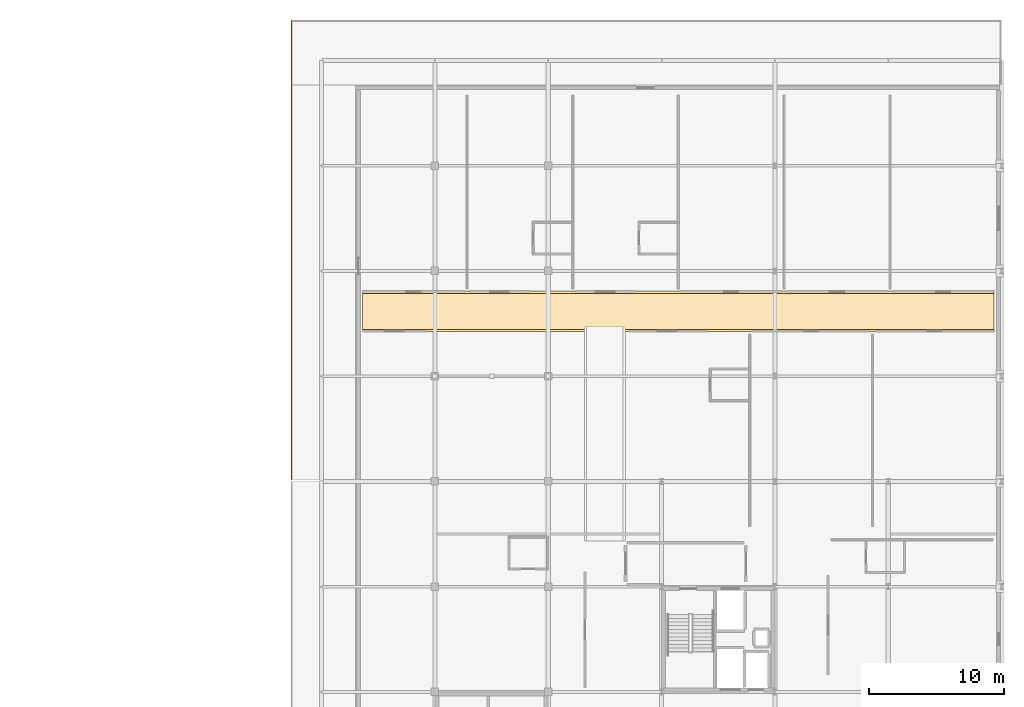
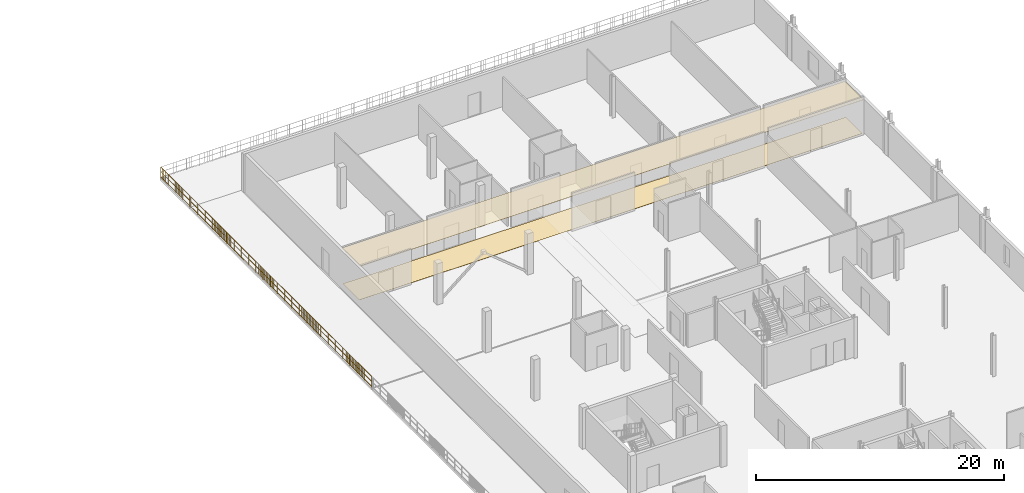
# One storey, part 19 of 20: 2 coverings, 2 railings.
"""IFC4 building model written with IfcOpenShell, lengths in metres."""

from ifc_helpers import new_model, si_unit, direction, frame, origin, origin_2d, place, context, subcontext, project, spatial, polyline, circle, outline, extrude, material, layer, layer_set, type_object, element, save


model = new_model("IFC4")

# Units and contexts
model_context = context("Model", 3, precision=1e-05, world=origin(), true_north=direction((0.0, 1.0)))
body_context = subcontext(model_context, "Body", "Model", "MODEL_VIEW")
ifc_project = project(units=[si_unit("LENGTHUNIT", "METRE"), si_unit("AREAUNIT", "SQUARE_METRE"), si_unit("VOLUMEUNIT", "CUBIC_METRE"), si_unit("PLANEANGLEUNIT", "RADIAN"), si_unit("MASSUNIT", "GRAM", prefix="KILO")], contexts=[model_context])

# Site, building, storey
site_placement = place(None, origin())
site = spatial("IfcSite", under=ifc_project, at=site_placement, CompositionType="ELEMENT")
building_placement = place(site_placement, origin())
building = spatial("IfcBuilding", under=site, at=building_placement, Name="Nabrawat Pavilion Hospital", CompositionType="ELEMENT")
storey_placement = place(building_placement, frame((0.0, 0.0, 27.0)))
storey = spatial("IfcBuildingStorey", under=building, at=storey_placement, Name="L06", CompositionType="ELEMENT", Elevation=27.0)

# Railings
ifc_material_1 = material(Name="Stainless Steel 316", Category="steel")
ifc_layer_1 = layer(ifc_material_1, 0.070068359375, Name="Stainless Steel 316")
ifc_layer_set_1 = layer_set([ifc_layer_1], Name="Stainless Steel 316")
railing_type = type_object("IfcRailingType", Name="Exterior Clinical Terrace Safety Guardrail 1100", PredefinedType="GUARDRAIL", material=ifc_layer_set_1)
railing_1_placement = place(storey_placement, frame((140.580078125, 85.97998046875, 0.0)))
element("IfcRailing", 1, at=railing_1_placement, inside=storey, type_object=railing_type, Name="L06 Terrace Edge Safety Guardrail T_L06_WARD_WEST_N West", PredefinedType="GUARDRAIL", context=body_context, shape_type="SweptSolid", body=[
    extrude(circle(Radius=0.02392578125, at=origin_2d()), frame((0.0, 0.0, 1.076171875), z_axis=(0.0, 1.0, 0.0), x_axis=(-1.0, 0.0, 0.0)), (0.0, 0.0, 1.0), 29.159912109375),
    extrude(circle(Radius=0.02392578125, at=origin_2d()), frame((0.0, 0.0, 0.10009765625), z_axis=(0.0, 1.0, 0.0), x_axis=(-1.0, 0.0, 0.0)), (0.0, 0.0, 1.0), 29.159912109375),
    extrude(circle(Radius=0.02392578125, at=origin_2d()), frame((0.0, 0.0, 0.60498046875), z_axis=(0.0, 1.0, 0.0), x_axis=(-1.0, 0.0, 0.0)), (0.0, 0.0, 1.0), 29.159912109375),
    extrude(circle(Radius=0.008056640625, at=origin_2d()), frame((0.0, 0.239013671875, 0.10009765625)), (0.0, 0.0, 1.0), 0.951904296875),
    extrude(circle(Radius=0.008056640625, at=origin_2d()), frame((0.0, 0.47802734375, 0.10009765625)), (0.0, 0.0, 1.0), 0.951904296875),
    extrude(circle(Radius=0.008056640625, at=origin_2d()), frame((0.0, 0.717041015625, 0.10009765625)), (0.0, 0.0, 1.0), 0.951904296875),
    extrude(circle(Radius=0.008056640625, at=origin_2d()), frame((0.0, 0.9560546875, 0.10009765625)), (0.0, 0.0, 1.0), 0.951904296875),
    extrude(circle(Radius=0.008056640625, at=origin_2d()), frame((0.0, 1.43408203125, 0.10009765625)), (0.0, 0.0, 1.0), 0.951904296875),
    extrude(circle(Radius=0.008056640625, at=origin_2d()), frame((0.0, 1.673095703125, 0.10009765625)), (0.0, 0.0, 1.0), 0.951904296875),
    extrude(circle(Radius=0.008056640625, at=origin_2d()), frame((0.0, 1.912109375, 0.10009765625)), (0.0, 0.0, 1.0), 0.951904296875),
    extrude(circle(Radius=0.008056640625, at=origin_2d()), frame((0.0, 2.151123046875, 0.10009765625)), (0.0, 0.0, 1.0), 0.951904296875),
    extrude(circle(Radius=0.008056640625, at=origin_2d()), frame((0.0, 2.39013671875, 0.10009765625)), (0.0, 0.0, 1.0), 0.951904296875),
    extrude(circle(Radius=0.008056640625, at=origin_2d()), frame((0.0, 2.629150390625, 0.10009765625)), (0.0, 0.0, 1.0), 0.951904296875),
    extrude(circle(Radius=0.008056640625, at=origin_2d()), frame((0.0, 2.8681640625, 0.10009765625)), (0.0, 0.0, 1.0), 0.951904296875),
    extrude(circle(Radius=0.008056640625, at=origin_2d()), frame((0.0, 3.107177734375, 0.10009765625)), (0.0, 0.0, 1.0), 0.951904296875),
    extrude(circle(Radius=0.008056640625, at=origin_2d()), frame((0.0, 3.34619140625, 0.10009765625)), (0.0, 0.0, 1.0), 0.951904296875),
    extrude(circle(Radius=0.008056640625, at=origin_2d()), frame((0.0, 3.585205078125, 0.10009765625)), (0.0, 0.0, 1.0), 0.951904296875),
    extrude(circle(Radius=0.008056640625, at=origin_2d()), frame((0.0, 3.82421875, 0.10009765625)), (0.0, 0.0, 1.0), 0.951904296875),
    extrude(circle(Radius=0.008056640625, at=origin_2d()), frame((0.0, 4.063232421875, 0.10009765625)), (0.0, 0.0, 1.0), 0.951904296875),
    extrude(circle(Radius=0.008056640625, at=origin_2d()), frame((0.0, 4.30224609375, 0.10009765625)), (0.0, 0.0, 1.0), 0.951904296875),
    extrude(circle(Radius=0.008056640625, at=origin_2d()), frame((0.0, 4.541259765625, 0.10009765625)), (0.0, 0.0, 1.0), 0.951904296875),
    extrude(circle(Radius=0.008056640625, at=origin_2d()), frame((0.0, 4.7802734375, 0.10009765625)), (0.0, 0.0, 1.0), 0.951904296875),
    extrude(circle(Radius=0.008056640625, at=origin_2d()), frame((0.0, 5.019287109375, 0.10009765625)), (0.0, 0.0, 1.0), 0.951904296875),
    extrude(circle(Radius=0.008056640625, at=origin_2d()), frame((0.0, 5.25830078125, 0.10009765625)), (0.0, 0.0, 1.0), 0.951904296875),
    extrude(circle(Radius=0.008056640625, at=origin_2d()), frame((0.0, 5.497314453125, 0.10009765625)), (0.0, 0.0, 1.0), 0.951904296875),
    extrude(circle(Radius=0.008056640625, at=origin_2d()), frame((0.0, 5.736328125, 0.10009765625)), (0.0, 0.0, 1.0), 0.951904296875),
    extrude(circle(Radius=0.008056640625, at=origin_2d()), frame((0.0, 5.975341796875, 0.10009765625)), (0.0, 0.0, 1.0), 0.951904296875),
    extrude(circle(Radius=0.008056640625, at=origin_2d()), frame((0.0, 6.21435546875, 0.10009765625)), (0.0, 0.0, 1.0), 0.951904296875),
    extrude(circle(Radius=0.008056640625, at=origin_2d()), frame((0.0, 6.453369140625, 0.10009765625)), (0.0, 0.0, 1.0), 0.951904296875),
    extrude(circle(Radius=0.008056640625, at=origin_2d()), frame((0.0, 6.6923828125, 0.10009765625)), (0.0, 0.0, 1.0), 0.951904296875),
    extrude(circle(Radius=0.008056640625, at=origin_2d()), frame((0.0, 6.931396484375, 0.10009765625)), (0.0, 0.0, 1.0), 0.951904296875),
    extrude(circle(Radius=0.008056640625, at=origin_2d()), frame((0.0, 7.17041015625, 0.10009765625)), (0.0, 0.0, 1.0), 0.951904296875),
    extrude(circle(Radius=0.008056640625, at=origin_2d()), frame((0.0, 7.409423828125, 0.10009765625)), (0.0, 0.0, 1.0), 0.951904296875),
    extrude(circle(Radius=0.008056640625, at=origin_2d()), frame((0.0, 7.6484375, 0.10009765625)), (0.0, 0.0, 1.0), 0.951904296875),
    extrude(circle(Radius=0.008056640625, at=origin_2d()), frame((0.0, 7.887451171875, 0.10009765625)), (0.0, 0.0, 1.0), 0.951904296875),
    extrude(circle(Radius=0.008056640625, at=origin_2d()), frame((0.0, 8.365478515625, 0.10009765625)), (0.0, 0.0, 1.0), 0.951904296875),
    extrude(circle(Radius=0.008056640625, at=origin_2d()), frame((0.0, 8.6044921875, 0.10009765625)), (0.0, 0.0, 1.0), 0.951904296875),
    extrude(circle(Radius=0.008056640625, at=origin_2d()), frame((0.0, 8.843505859375, 0.10009765625)), (0.0, 0.0, 1.0), 0.951904296875),
    extrude(circle(Radius=0.008056640625, at=origin_2d()), frame((0.0, 9.08251953125, 0.10009765625)), (0.0, 0.0, 1.0), 0.951904296875),
    extrude(circle(Radius=0.008056640625, at=origin_2d()), frame((0.0, 9.560546875, 0.10009765625)), (0.0, 0.0, 1.0), 0.951904296875),
    extrude(circle(Radius=0.008056640625, at=origin_2d()), frame((0.0, 9.799560546875, 0.10009765625)), (0.0, 0.0, 1.0), 0.951904296875),
    extrude(circle(Radius=0.008056640625, at=origin_2d()), frame((0.0, 10.03857421875, 0.10009765625)), (0.0, 0.0, 1.0), 0.951904296875),
    extrude(circle(Radius=0.008056640625, at=origin_2d()), frame((0.0, 10.277587890625, 0.10009765625)), (0.0, 0.0, 1.0), 0.951904296875),
    extrude(circle(Radius=0.008056640625, at=origin_2d()), frame((0.0, 10.755615234375, 0.10009765625)), (0.0, 0.0, 1.0), 0.951904296875),
    extrude(circle(Radius=0.008056640625, at=origin_2d()), frame((0.0, 10.99462890625, 0.10009765625)), (0.0, 0.0, 1.0), 0.951904296875),
    extrude(circle(Radius=0.008056640625, at=origin_2d()), frame((0.0, 11.233642578125, 0.10009765625)), (0.0, 0.0, 1.0), 0.951904296875),
    extrude(circle(Radius=0.008056640625, at=origin_2d()), frame((0.0, 11.47265625, 0.10009765625)), (0.0, 0.0, 1.0), 0.951904296875),
    extrude(circle(Radius=0.008056640625, at=origin_2d()), frame((0.0, 11.95068359375, 0.10009765625)), (0.0, 0.0, 1.0), 0.951904296875),
    extrude(circle(Radius=0.008056640625, at=origin_2d()), frame((0.0, 12.189697265625, 0.10009765625)), (0.0, 0.0, 1.0), 0.951904296875),
    extrude(circle(Radius=0.008056640625, at=origin_2d()), frame((0.0, 12.4287109375, 0.10009765625)), (0.0, 0.0, 1.0), 0.951904296875),
    extrude(circle(Radius=0.008056640625, at=origin_2d()), frame((0.0, 12.667724609375, 0.10009765625)), (0.0, 0.0, 1.0), 0.951904296875),
    extrude(circle(Radius=0.008056640625, at=origin_2d()), frame((0.0, 12.90673828125, 0.10009765625)), (0.0, 0.0, 1.0), 0.951904296875),
    extrude(circle(Radius=0.008056640625, at=origin_2d()), frame((0.0, 13.145751953125, 0.10009765625)), (0.0, 0.0, 1.0), 0.951904296875),
    extrude(circle(Radius=0.008056640625, at=origin_2d()), frame((0.0, 13.384765625, 0.10009765625)), (0.0, 0.0, 1.0), 0.951904296875),
    extrude(circle(Radius=0.008056640625, at=origin_2d()), frame((0.0, 13.623779296875, 0.10009765625)), (0.0, 0.0, 1.0), 0.951904296875),
    extrude(circle(Radius=0.008056640625, at=origin_2d()), frame((0.0, 13.86279296875, 0.10009765625)), (0.0, 0.0, 1.0), 0.951904296875),
    extrude(circle(Radius=0.008056640625, at=origin_2d()), frame((0.0, 14.101806640625, 0.10009765625)), (0.0, 0.0, 1.0), 0.951904296875),
    extrude(circle(Radius=0.008056640625, at=origin_2d()), frame((0.0, 14.3408203125, 0.10009765625)), (0.0, 0.0, 1.0), 0.951904296875),
    extrude(circle(Radius=0.008056640625, at=origin_2d()), frame((0.0, 14.580078125, 0.10009765625)), (0.0, 0.0, 1.0), 0.951904296875),
    extrude(circle(Radius=0.008056640625, at=origin_2d()), frame((0.0, 14.819091796875, 0.10009765625)), (0.0, 0.0, 1.0), 0.951904296875),
    extrude(circle(Radius=0.008056640625, at=origin_2d()), frame((0.0, 15.05810546875, 0.10009765625)), (0.0, 0.0, 1.0), 0.951904296875),
    extrude(circle(Radius=0.008056640625, at=origin_2d()), frame((0.0, 15.297119140625, 0.10009765625)), (0.0, 0.0, 1.0), 0.951904296875),
    extrude(circle(Radius=0.008056640625, at=origin_2d()), frame((0.0, 15.5361328125, 0.10009765625)), (0.0, 0.0, 1.0), 0.951904296875),
    extrude(circle(Radius=0.008056640625, at=origin_2d()), frame((0.0, 15.775146484375, 0.10009765625)), (0.0, 0.0, 1.0), 0.951904296875),
    extrude(circle(Radius=0.008056640625, at=origin_2d()), frame((0.0, 16.01416015625, 0.10009765625)), (0.0, 0.0, 1.0), 0.951904296875),
    extrude(circle(Radius=0.008056640625, at=origin_2d()), frame((0.0, 16.253173828125, 0.10009765625)), (0.0, 0.0, 1.0), 0.951904296875),
    extrude(circle(Radius=0.008056640625, at=origin_2d()), frame((0.0, 16.4921875, 0.10009765625)), (0.0, 0.0, 1.0), 0.951904296875),
    extrude(circle(Radius=0.008056640625, at=origin_2d()), frame((0.0, 16.731201171875, 0.10009765625)), (0.0, 0.0, 1.0), 0.951904296875),
    extrude(circle(Radius=0.008056640625, at=origin_2d()), frame((0.0, 16.97021484375, 0.10009765625)), (0.0, 0.0, 1.0), 0.951904296875),
    extrude(circle(Radius=0.008056640625, at=origin_2d()), frame((0.0, 17.209228515625, 0.10009765625)), (0.0, 0.0, 1.0), 0.951904296875),
    extrude(circle(Radius=0.008056640625, at=origin_2d()), frame((0.0, 17.687255859375, 0.10009765625)), (0.0, 0.0, 1.0), 0.951904296875),
    extrude(circle(Radius=0.008056640625, at=origin_2d()), frame((0.0, 17.92626953125, 0.10009765625)), (0.0, 0.0, 1.0), 0.951904296875),
    extrude(circle(Radius=0.008056640625, at=origin_2d()), frame((0.0, 18.165283203125, 0.10009765625)), (0.0, 0.0, 1.0), 0.951904296875),
    extrude(circle(Radius=0.008056640625, at=origin_2d()), frame((0.0, 18.404296875, 0.10009765625)), (0.0, 0.0, 1.0), 0.951904296875),
    extrude(circle(Radius=0.008056640625, at=origin_2d()), frame((0.0, 18.88232421875, 0.10009765625)), (0.0, 0.0, 1.0), 0.951904296875),
    extrude(circle(Radius=0.008056640625, at=origin_2d()), frame((0.0, 19.121337890625, 0.10009765625)), (0.0, 0.0, 1.0), 0.951904296875),
    extrude(circle(Radius=0.008056640625, at=origin_2d()), frame((0.0, 19.3603515625, 0.10009765625)), (0.0, 0.0, 1.0), 0.951904296875),
    extrude(circle(Radius=0.008056640625, at=origin_2d()), frame((0.0, 19.599365234375, 0.10009765625)), (0.0, 0.0, 1.0), 0.951904296875),
    extrude(circle(Radius=0.008056640625, at=origin_2d()), frame((0.0, 20.077392578125, 0.10009765625)), (0.0, 0.0, 1.0), 0.951904296875),
    extrude(circle(Radius=0.008056640625, at=origin_2d()), frame((0.0, 20.31640625, 0.10009765625)), (0.0, 0.0, 1.0), 0.951904296875),
    extrude(circle(Radius=0.008056640625, at=origin_2d()), frame((0.0, 20.555419921875, 0.10009765625)), (0.0, 0.0, 1.0), 0.951904296875),
    extrude(circle(Radius=0.008056640625, at=origin_2d()), frame((0.0, 20.79443359375, 0.10009765625)), (0.0, 0.0, 1.0), 0.951904296875),
    extrude(circle(Radius=0.008056640625, at=origin_2d()), frame((0.0, 21.2724609375, 0.10009765625)), (0.0, 0.0, 1.0), 0.951904296875),
    extrude(circle(Radius=0.008056640625, at=origin_2d()), frame((0.0, 21.511474609375, 0.10009765625)), (0.0, 0.0, 1.0), 0.951904296875),
    extrude(circle(Radius=0.008056640625, at=origin_2d()), frame((0.0, 21.75048828125, 0.10009765625)), (0.0, 0.0, 1.0), 0.951904296875),
    extrude(circle(Radius=0.008056640625, at=origin_2d()), frame((0.0, 21.989501953125, 0.10009765625)), (0.0, 0.0, 1.0), 0.951904296875),
    extrude(circle(Radius=0.008056640625, at=origin_2d()), frame((0.0, 22.228515625, 0.10009765625)), (0.0, 0.0, 1.0), 0.951904296875),
    extrude(circle(Radius=0.008056640625, at=origin_2d()), frame((0.0, 22.467529296875, 0.10009765625)), (0.0, 0.0, 1.0), 0.951904296875),
    extrude(circle(Radius=0.008056640625, at=origin_2d()), frame((0.0, 22.70654296875, 0.10009765625)), (0.0, 0.0, 1.0), 0.951904296875),
    extrude(circle(Radius=0.008056640625, at=origin_2d()), frame((0.0, 22.945556640625, 0.10009765625)), (0.0, 0.0, 1.0), 0.951904296875),
    extrude(circle(Radius=0.008056640625, at=origin_2d()), frame((0.0, 23.1845703125, 0.10009765625)), (0.0, 0.0, 1.0), 0.951904296875),
    extrude(circle(Radius=0.008056640625, at=origin_2d()), frame((0.0, 23.423583984375, 0.10009765625)), (0.0, 0.0, 1.0), 0.951904296875),
    extrude(circle(Radius=0.008056640625, at=origin_2d()), frame((0.0, 23.66259765625, 0.10009765625)), (0.0, 0.0, 1.0), 0.951904296875),
    extrude(circle(Radius=0.008056640625, at=origin_2d()), frame((0.0, 23.901611328125, 0.10009765625)), (0.0, 0.0, 1.0), 0.951904296875),
    extrude(circle(Radius=0.008056640625, at=origin_2d()), frame((0.0, 24.140625, 0.10009765625)), (0.0, 0.0, 1.0), 0.951904296875),
    extrude(circle(Radius=0.008056640625, at=origin_2d()), frame((0.0, 24.379638671875, 0.10009765625)), (0.0, 0.0, 1.0), 0.951904296875),
    extrude(circle(Radius=0.008056640625, at=origin_2d()), frame((0.0, 24.61865234375, 0.10009765625)), (0.0, 0.0, 1.0), 0.951904296875),
    extrude(circle(Radius=0.008056640625, at=origin_2d()), frame((0.0, 24.857666015625, 0.10009765625)), (0.0, 0.0, 1.0), 0.951904296875),
    extrude(circle(Radius=0.008056640625, at=origin_2d()), frame((0.0, 25.0966796875, 0.10009765625)), (0.0, 0.0, 1.0), 0.951904296875),
    extrude(circle(Radius=0.008056640625, at=origin_2d()), frame((0.0, 25.335693359375, 0.10009765625)), (0.0, 0.0, 1.0), 0.951904296875),
    extrude(circle(Radius=0.008056640625, at=origin_2d()), frame((0.0, 25.57470703125, 0.10009765625)), (0.0, 0.0, 1.0), 0.951904296875),
    extrude(circle(Radius=0.008056640625, at=origin_2d()), frame((0.0, 25.813720703125, 0.10009765625)), (0.0, 0.0, 1.0), 0.951904296875),
    extrude(circle(Radius=0.008056640625, at=origin_2d()), frame((0.0, 26.052734375, 0.10009765625)), (0.0, 0.0, 1.0), 0.951904296875),
    extrude(circle(Radius=0.008056640625, at=origin_2d()), frame((0.0, 26.291748046875, 0.10009765625)), (0.0, 0.0, 1.0), 0.951904296875),
    extrude(circle(Radius=0.008056640625, at=origin_2d()), frame((0.0, 26.53076171875, 0.10009765625)), (0.0, 0.0, 1.0), 0.951904296875),
    extrude(circle(Radius=0.008056640625, at=origin_2d()), frame((0.0, 26.769775390625, 0.10009765625)), (0.0, 0.0, 1.0), 0.951904296875),
    extrude(circle(Radius=0.008056640625, at=origin_2d()), frame((0.0, 27.0087890625, 0.10009765625)), (0.0, 0.0, 1.0), 0.951904296875),
    extrude(circle(Radius=0.008056640625, at=origin_2d()), frame((0.0, 27.247802734375, 0.10009765625)), (0.0, 0.0, 1.0), 0.951904296875),
    extrude(circle(Radius=0.008056640625, at=origin_2d()), frame((0.0, 27.48681640625, 0.10009765625)), (0.0, 0.0, 1.0), 0.951904296875),
    extrude(circle(Radius=0.008056640625, at=origin_2d()), frame((0.0, 27.725830078125, 0.10009765625)), (0.0, 0.0, 1.0), 0.951904296875),
    extrude(circle(Radius=0.008056640625, at=origin_2d()), frame((0.0, 28.203857421875, 0.10009765625)), (0.0, 0.0, 1.0), 0.951904296875),
    extrude(circle(Radius=0.008056640625, at=origin_2d()), frame((0.0, 28.44287109375, 0.10009765625)), (0.0, 0.0, 1.0), 0.951904296875),
    extrude(circle(Radius=0.008056640625, at=origin_2d()), frame((0.0, 28.681884765625, 0.10009765625)), (0.0, 0.0, 1.0), 0.951904296875),
    extrude(circle(Radius=0.008056640625, at=origin_2d()), frame((0.0, 28.9208984375, 0.10009765625)), (0.0, 0.0, 1.0), 0.951904296875),
    extrude(circle(Radius=0.02099609375, at=origin_2d()), origin(), (0.0, 0.0, 1.0), 1.052001953125),
    extrude(circle(Radius=0.02099609375, at=origin_2d()), frame((0.0, 1.16650390625, 0.0)), (0.0, 0.0, 1.0), 1.052001953125),
    extrude(circle(Radius=0.02099609375, at=origin_2d()), frame((0.0, 2.332763671875, 0.0)), (0.0, 0.0, 1.0), 1.052001953125),
    extrude(circle(Radius=0.02099609375, at=origin_2d()), frame((0.0, 3.499267578125, 0.0)), (0.0, 0.0, 1.0), 1.052001953125),
    extrude(circle(Radius=0.02099609375, at=origin_2d()), frame((0.0, 4.66552734375, 0.0)), (0.0, 0.0, 1.0), 1.052001953125),
    extrude(circle(Radius=0.02099609375, at=origin_2d()), frame((0.0, 5.83203125, 0.0)), (0.0, 0.0, 1.0), 1.052001953125),
    extrude(circle(Radius=0.02099609375, at=origin_2d()), frame((0.0, 6.998291015625, 0.0)), (0.0, 0.0, 1.0), 1.052001953125),
    extrude(circle(Radius=0.02099609375, at=origin_2d()), frame((0.0, 8.164794921875, 0.0)), (0.0, 0.0, 1.0), 1.052001953125),
    extrude(circle(Radius=0.02099609375, at=origin_2d()), frame((0.0, 9.3310546875, 0.0)), (0.0, 0.0, 1.0), 1.052001953125),
    extrude(circle(Radius=0.02099609375, at=origin_2d()), frame((0.0, 10.49755859375, 0.0)), (0.0, 0.0, 1.0), 1.052001953125),
    extrude(circle(Radius=0.02099609375, at=origin_2d()), frame((0.0, 11.6640625, 0.0)), (0.0, 0.0, 1.0), 1.052001953125),
    extrude(circle(Radius=0.02099609375, at=origin_2d()), frame((0.0, 12.830322265625, 0.0)), (0.0, 0.0, 1.0), 1.052001953125),
    extrude(circle(Radius=0.02099609375, at=origin_2d()), frame((0.0, 13.996826171875, 0.0)), (0.0, 0.0, 1.0), 1.052001953125),
    extrude(circle(Radius=0.02099609375, at=origin_2d()), frame((0.0, 15.1630859375, 0.0)), (0.0, 0.0, 1.0), 1.052001953125),
    extrude(circle(Radius=0.02099609375, at=origin_2d()), frame((0.0, 16.32958984375, 0.0)), (0.0, 0.0, 1.0), 1.052001953125),
    extrude(circle(Radius=0.02099609375, at=origin_2d()), frame((0.0, 17.495849609375, 0.0)), (0.0, 0.0, 1.0), 1.052001953125),
    extrude(circle(Radius=0.02099609375, at=origin_2d()), frame((0.0, 18.662353515625, 0.0)), (0.0, 0.0, 1.0), 1.052001953125),
    extrude(circle(Radius=0.02099609375, at=origin_2d()), frame((0.0, 19.828857421875, 0.0)), (0.0, 0.0, 1.0), 1.052001953125),
    extrude(circle(Radius=0.02099609375, at=origin_2d()), frame((0.0, 20.9951171875, 0.0)), (0.0, 0.0, 1.0), 1.052001953125),
    extrude(circle(Radius=0.02099609375, at=origin_2d()), frame((0.0, 22.16162109375, 0.0)), (0.0, 0.0, 1.0), 1.052001953125),
    extrude(circle(Radius=0.02099609375, at=origin_2d()), frame((0.0, 23.327880859375, 0.0)), (0.0, 0.0, 1.0), 1.052001953125),
    extrude(circle(Radius=0.02099609375, at=origin_2d()), frame((0.0, 24.494384765625, 0.0)), (0.0, 0.0, 1.0), 1.052001953125),
    extrude(circle(Radius=0.02099609375, at=origin_2d()), frame((0.0, 25.66064453125, 0.0)), (0.0, 0.0, 1.0), 1.052001953125),
    extrude(circle(Radius=0.02099609375, at=origin_2d()), frame((0.0, 26.8271484375, 0.0)), (0.0, 0.0, 1.0), 1.052001953125),
    extrude(circle(Radius=0.02099609375, at=origin_2d()), frame((0.0, 27.993408203125, 0.0)), (0.0, 0.0, 1.0), 1.052001953125),
    extrude(circle(Radius=0.02099609375, at=origin_2d()), frame((0.0, 29.159912109375, 0.0)), (0.0, 0.0, 1.0), 1.052001953125),
])
railing_2_placement = place(storey_placement, frame((140.580078125, 115.260009765625, 0.0)))
element("IfcRailing", 2, at=railing_2_placement, inside=storey, type_object=railing_type, Name="L06 Terrace Edge Safety Guardrail T_L06_WARD_NORTH West", PredefinedType="GUARDRAIL", context=body_context, shape_type="SweptSolid", body=[
    extrude(circle(Radius=0.02392578125, at=origin_2d()), frame((0.0, 0.0, 1.076171875), z_axis=(0.0, 1.0, 0.0), x_axis=(-1.0, 0.0, 0.0)), (0.0, 0.0, 1.0), 4.679931640625),
    extrude(circle(Radius=0.02392578125, at=origin_2d()), frame((0.0, 0.0, 0.10009765625), z_axis=(0.0, 1.0, 0.0), x_axis=(-1.0, 0.0, 0.0)), (0.0, 0.0, 1.0), 4.679931640625),
    extrude(circle(Radius=0.02392578125, at=origin_2d()), frame((0.0, 0.0, 0.60498046875), z_axis=(0.0, 1.0, 0.0), x_axis=(-1.0, 0.0, 0.0)), (0.0, 0.0, 1.0), 4.679931640625),
    extrude(circle(Radius=0.008056640625, at=origin_2d()), frame((0.0, 0.23388671875, 0.10009765625)), (0.0, 0.0, 1.0), 0.951904296875),
    extrude(circle(Radius=0.008056640625, at=origin_2d()), frame((0.0, 0.468017578125, 0.10009765625)), (0.0, 0.0, 1.0), 0.951904296875),
    extrude(circle(Radius=0.008056640625, at=origin_2d()), frame((0.0, 0.701904296875, 0.10009765625)), (0.0, 0.0, 1.0), 0.951904296875),
    extrude(circle(Radius=0.008056640625, at=origin_2d()), frame((0.0, 0.93603515625, 0.10009765625)), (0.0, 0.0, 1.0), 0.951904296875),
    extrude(circle(Radius=0.008056640625, at=origin_2d()), frame((0.0, 1.404052734375, 0.10009765625)), (0.0, 0.0, 1.0), 0.951904296875),
    extrude(circle(Radius=0.008056640625, at=origin_2d()), frame((0.0, 1.637939453125, 0.10009765625)), (0.0, 0.0, 1.0), 0.951904296875),
    extrude(circle(Radius=0.008056640625, at=origin_2d()), frame((0.0, 1.8720703125, 0.10009765625)), (0.0, 0.0, 1.0), 0.951904296875),
    extrude(circle(Radius=0.008056640625, at=origin_2d()), frame((0.0, 2.10595703125, 0.10009765625)), (0.0, 0.0, 1.0), 0.951904296875),
    extrude(circle(Radius=0.008056640625, at=origin_2d()), frame((0.0, 2.573974609375, 0.10009765625)), (0.0, 0.0, 1.0), 0.951904296875),
    extrude(circle(Radius=0.008056640625, at=origin_2d()), frame((0.0, 2.807861328125, 0.10009765625)), (0.0, 0.0, 1.0), 0.951904296875),
    extrude(circle(Radius=0.008056640625, at=origin_2d()), frame((0.0, 3.0419921875, 0.10009765625)), (0.0, 0.0, 1.0), 0.951904296875),
    extrude(circle(Radius=0.008056640625, at=origin_2d()), frame((0.0, 3.27587890625, 0.10009765625)), (0.0, 0.0, 1.0), 0.951904296875),
    extrude(circle(Radius=0.008056640625, at=origin_2d()), frame((0.0, 3.743896484375, 0.10009765625)), (0.0, 0.0, 1.0), 0.951904296875),
    extrude(circle(Radius=0.008056640625, at=origin_2d()), frame((0.0, 3.97802734375, 0.10009765625)), (0.0, 0.0, 1.0), 0.951904296875),
    extrude(circle(Radius=0.008056640625, at=origin_2d()), frame((0.0, 4.2119140625, 0.10009765625)), (0.0, 0.0, 1.0), 0.951904296875),
    extrude(circle(Radius=0.008056640625, at=origin_2d()), frame((0.0, 4.446044921875, 0.10009765625)), (0.0, 0.0, 1.0), 0.951904296875),
    extrude(circle(Radius=0.02099609375, at=origin_2d()), origin(), (0.0, 0.0, 1.0), 1.052001953125),
    extrude(circle(Radius=0.02099609375, at=origin_2d()), frame((0.0, 1.169921875, 0.0)), (0.0, 0.0, 1.0), 1.052001953125),
    extrude(circle(Radius=0.02099609375, at=origin_2d()), frame((0.0, 2.33984375, 0.0)), (0.0, 0.0, 1.0), 1.052001953125),
    extrude(circle(Radius=0.02099609375, at=origin_2d()), frame((0.0, 3.510009765625, 0.0)), (0.0, 0.0, 1.0), 1.052001953125),
    extrude(circle(Radius=0.02099609375, at=origin_2d()), frame((0.0, 4.679931640625, 0.0)), (0.0, 0.0, 1.0), 1.052001953125),
])

# Coverings
ifc_material_2 = material(Name="Mineral-Fibre Hygienic Acoustic Board", Category="gypsum")
ifc_layer_2 = layer(ifc_material_2, 0.02490234375, Name="Mineral-Fibre Hygienic Acoustic Board")
ifc_layer_set_2 = layer_set([ifc_layer_2], Name="Mineral-Fibre Hygienic Acoustic Board")
covering_type_1 = type_object("IfcCoveringType", Name="Hygienic Anti-Bacterial Acoustic Tile Ceiling", PredefinedType="CEILING", material=ifc_layer_set_2)
covering_1_placement = place(storey_placement, frame((0.0, 0.0, 3.409912109375)))
element("IfcCovering", 3, at=covering_1_placement, inside=storey, type_object=covering_type_1, Name="L06 Clinical Corridor Acoustic Ceiling 14", PredefinedType="CEILING", context=body_context, shape_type="SweptSolid", body=[
    extrude(outline(polyline([(192.64990234375, 96.89501953125), (192.64990234375, 99.905029296875), (145.85009765625, 99.905029296875), (145.85009765625, 96.89501953125), (192.64990234375, 96.89501953125)])), origin(), (0.0, 0.0, 1.0), 0.025146484375),
])
ifc_material_3 = material(Name="Homogeneous Medical PVC Vinyl", Category="plastic")
ifc_layer_3 = layer(ifc_material_3, 0.014892578125, Name="Homogeneous Medical PVC Vinyl")
ifc_layer_set_3 = layer_set([ifc_layer_3], Name="Homogeneous Medical PVC Vinyl")
covering_type_2 = type_object("IfcCoveringType", Name="Seamless Anti-Static Medical Vinyl Flooring", PredefinedType="FLOORING", material=ifc_layer_set_3)
covering_2_placement = place(storey_placement, origin())
element("IfcCovering", 4, at=covering_2_placement, inside=storey, type_object=covering_type_2, Name="L06 Clinical Corridor Medical Vinyl Flooring 14", PredefinedType="FLOORING", context=body_context, shape_type="SweptSolid", body=[
    extrude(outline(polyline([(192.64990234375, 97.074951171875), (192.64990234375, 99.72509765625), (145.85009765625, 99.72509765625), (145.85009765625, 97.074951171875), (192.64990234375, 97.074951171875)])), origin(), (0.0, 0.0, 1.0), 0.014892578125),
])

save(model, "model.ifc")
